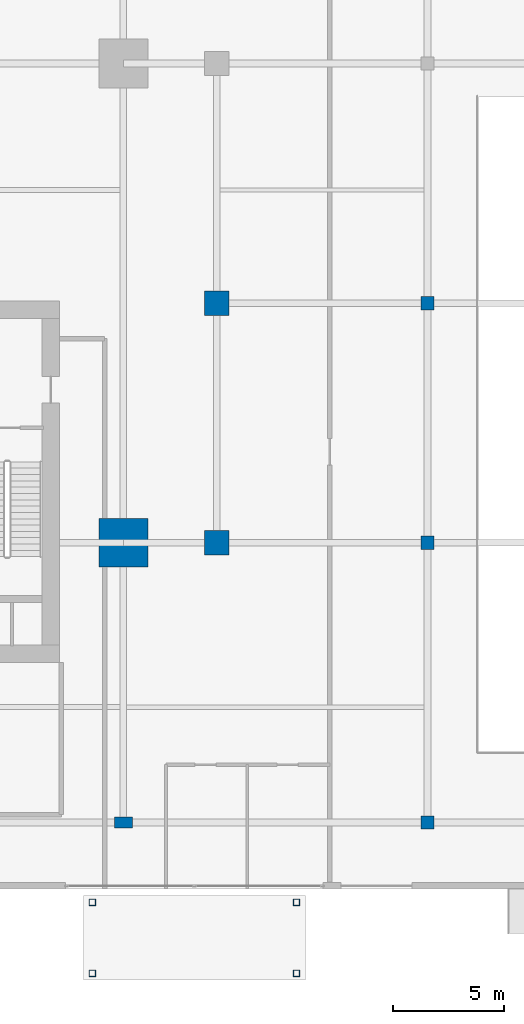
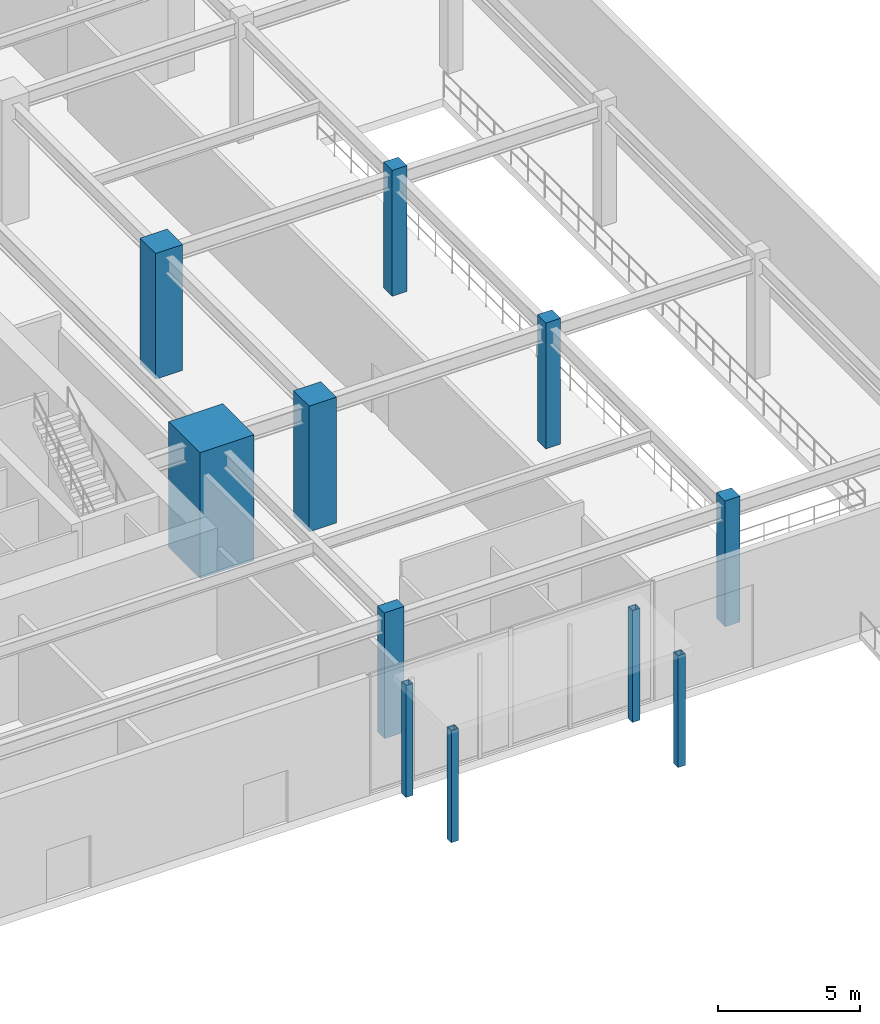
# One storey, part 2 of 28: 11 columns.
"""IFC4 building model written with IfcOpenShell, lengths in metres."""

from ifc_helpers import new_model, si_unit, direction, frame, origin, origin_2d, place, context, subcontext, project, spatial, rectangle, hollow_rectangle, extrude, source, transform, mapped, material, material_profile, profile_set, type_object, type_shapes, element, save


model = new_model("IFC4")

# Units and contexts
model_context = context("Model", 3, precision=1e-05, world=origin(), true_north=direction((0.0, 1.0)))
body_context = subcontext(model_context, "Body", "Model", "MODEL_VIEW")
ifc_project = project(units=[si_unit("LENGTHUNIT", "METRE"), si_unit("AREAUNIT", "SQUARE_METRE"), si_unit("VOLUMEUNIT", "CUBIC_METRE"), si_unit("PLANEANGLEUNIT", "RADIAN"), si_unit("MASSUNIT", "GRAM", prefix="KILO")], contexts=[model_context])

# Site, building, storey
site_placement = place(None, origin())
site = spatial("IfcSite", under=ifc_project, at=site_placement, CompositionType="ELEMENT")
building_placement = place(site_placement, origin())
building = spatial("IfcBuilding", under=site, at=building_placement, Name="Krantzveldt Concourse Tower", CompositionType="ELEMENT")
storey_placement = place(building_placement, origin())
storey = spatial("IfcBuildingStorey", under=building, at=storey_placement, Name="L00", CompositionType="ELEMENT", Elevation=0.0)

# Columns
ifc_material_1 = material(Name="Concrete C60/75", Category="concrete")
ifc_material_profile_1 = material_profile(ifc_material_1, rectangle(XDim=2.199951171875, YDim=2.199951171875, at=origin_2d()), Name="Concrete C60/75", Category="concrete")
ifc_profile_set_1 = profile_set([ifc_material_profile_1], Name="Concrete C60/75 - RC 2200x2200")
column_type_1 = type_object("IfcColumnType", Name="COL-MC-2200", PredefinedType="USERDEFINED", material=ifc_profile_set_1)
shared_shape_1 = source(origin(), body_context, "Body", "SweptSolid", [
    extrude(rectangle(XDim=2.199951171875, YDim=2.199951171875, at=origin_2d()), origin(), (0.0, 0.0, 1.0), 5.39990234375),
])
type_shapes(column_type_1, [shared_shape_1])
column_1_placement = place(storey_placement, frame((46.800048828125, 15.89990234375, 0.0), z_axis=(0.0, 0.0, 1.0), x_axis=(1.0, 0.0, 0.0)))
element("IfcColumn", 1, at=column_1_placement, inside=storey, type_object=column_type_1, Name="MC-SE-L00", ObjectType="MEGA COLUMN", PredefinedType="USERDEFINED", context=body_context, shape_type="MappedRepresentation", body=[
    mapped(shared_shape_1, transform((0.0, 0.0, 0.0), x_axis=(1.0, 0.0, 0.0), y_axis=(0.0, 1.0, 0.0), z_axis=(0.0, 0.0, 1.0), scale=1.0)),
])
ifc_material_profile_2 = material_profile(ifc_material_1, rectangle(XDim=1.10009765625, YDim=1.10009765625, at=origin_2d()), Name="Concrete C60/75", Category="concrete")
ifc_profile_set_2 = profile_set([ifc_material_profile_2], Name="Concrete C60/75 - RC 1100x1100")
column_type_2 = type_object("IfcColumnType", Name="COL-C-Z1", PredefinedType="COLUMN", material=ifc_profile_set_2)
shared_shape_2 = source(origin(), body_context, "Body", "SweptSolid", [
    extrude(rectangle(XDim=1.10009765625, YDim=1.10009765625, at=origin_2d()), origin(), (0.0, 0.0, 1.0), 5.39990234375),
])
type_shapes(column_type_2, [shared_shape_2])
for number, where, z_axis, x_axis, name in (
    (2, (51.0, 26.699951171875, 0.0), (0.0, 0.0, 1.0), (1.0, 0.0, 0.0), "PC-R07-L00"),
    (3, (51.0, 15.89990234375, 0.0), (0.0, 0.0, 1.0), (1.0, 0.0, 0.0), "PC-R08-L00"),
):
    element("IfcColumn", number, at=place(storey_placement, frame(where, z_axis=z_axis, x_axis=x_axis)), inside=storey, type_object=column_type_2, Name=name, PredefinedType="COLUMN", context=body_context, shape_type="MappedRepresentation", body=[
        mapped(shared_shape_2, transform((0.0, 0.0, 0.0), x_axis=(1.0, 0.0, 0.0), y_axis=(0.0, 1.0, 0.0), z_axis=(0.0, 0.0, 1.0), scale=1.0)),
    ])
ifc_material_2 = material(Name="Steel S355J2", Category="steel")
ifc_material_profile_3 = material_profile(ifc_material_2, hollow_rectangle(XDim=0.300048828125, YDim=0.300048828125, WallThickness=0.02001953125, at=origin_2d()), Name="Steel S355J2", Category="steel")
ifc_profile_set_3 = profile_set([ifc_material_profile_3], Name="Steel S355J2 - SHS 300x300x20")
column_type_3 = type_object("IfcColumnType", Name="COL-SC-CRN300", PredefinedType="COLUMN", material=ifc_profile_set_3)
shared_shape_3 = source(origin(), body_context, "Body", "SweptSolid", [
    extrude(hollow_rectangle(XDim=0.300048828125, YDim=0.300048828125, WallThickness=0.02001953125, at=origin_2d()), origin(), (0.0, 0.0, 1.0), 4.800048828125),
])
type_shapes(column_type_3, [shared_shape_3])
for number, where, z_axis, x_axis, name in (
    (4, (45.39990234375, -3.5, 0.0), (0.0, 0.0, 1.0), (1.0, 0.0, 0.0), "CP-S2W"),
    (5, (54.60009765625, -3.5, 0.0), (0.0, 0.0, 1.0), (1.0, 0.0, 0.0), "CP-S2E"),
    (6, (45.39990234375, -0.300048828125, 0.0), (0.0, 0.0, 1.0), (1.0, 0.0, 0.0), "CP-S2WI"),
    (7, (54.60009765625, -0.300048828125, 0.0), (0.0, 0.0, 1.0), (1.0, 0.0, 0.0), "CP-S2EI"),
):
    element("IfcColumn", number, at=place(storey_placement, frame(where, z_axis=z_axis, x_axis=x_axis)), inside=storey, type_object=column_type_3, Name=name, PredefinedType="COLUMN", context=body_context, shape_type="MappedRepresentation", body=[
        mapped(shared_shape_3, transform((0.0, 0.0, 0.0), x_axis=(1.0, 0.0, 0.0), y_axis=(0.0, 1.0, 0.0), z_axis=(0.0, 0.0, 1.0), scale=1.0)),
    ])
ifc_material_3 = material(Name="Concrete C40/50", Category="concrete")
ifc_material_profile_4 = material_profile(ifc_material_3, rectangle(XDim=0.60009765625, YDim=0.60009765625, at=origin_2d()), Name="Concrete C40/50", Category="concrete")
ifc_profile_set_4 = profile_set([ifc_material_profile_4], Name="Concrete C40/50 - RC 600x600")
column_type_4 = type_object("IfcColumnType", Name="COL-C-POD", PredefinedType="COLUMN", material=ifc_profile_set_4)
shared_shape_4 = source(origin(), body_context, "Body", "SweptSolid", [
    extrude(rectangle(XDim=0.60009765625, YDim=0.60009765625, at=origin_2d()), origin(), (0.0, 0.0, 1.0), 5.39990234375),
])
type_shapes(column_type_4, [shared_shape_4])
for number, where, z_axis, x_axis, name in (
    (8, (60.5, 15.89990234375, 0.0), (0.0, 0.0, 1.0), (1.0, 0.0, 0.0), "PC-IE1-L00"),
    (9, (60.5, 26.699951171875, 0.0), (0.0, 0.0, 1.0), (1.0, 0.0, 0.0), "PC-IE2-L00"),
    (10, (60.5, 3.300048828125, 0.0), (0.0, 0.0, 1.0), (1.0, 0.0, 0.0), "PC-IES-L00"),
):
    element("IfcColumn", number, at=place(storey_placement, frame(where, z_axis=z_axis, x_axis=x_axis)), inside=storey, type_object=column_type_4, Name=name, PredefinedType="COLUMN", context=body_context, shape_type="MappedRepresentation", body=[
        mapped(shared_shape_4, transform((0.0, 0.0, 0.0), x_axis=(1.0, 0.0, 0.0), y_axis=(0.0, 1.0, 0.0), z_axis=(0.0, 0.0, 1.0), scale=1.0)),
    ])
ifc_material_4 = material(Name="Concrete C50/60", Category="concrete")
ifc_material_profile_5 = material_profile(ifc_material_4, rectangle(XDim=0.800048828125, YDim=0.5, at=origin_2d()), Name="Concrete C50/60", Category="concrete")
ifc_profile_set_5 = profile_set([ifc_material_profile_5], Name="Concrete C50/60 - RC-PIL 800x500")
column_type_5 = type_object("IfcColumnType", Name="COL-PIL-800", PredefinedType="PILASTER", material=ifc_profile_set_5)
shared_shape_5 = source(origin(), body_context, "Body", "SweptSolid", [
    extrude(rectangle(XDim=0.800048828125, YDim=0.5, at=origin_2d()), origin(), (0.0, 0.0, 1.0), 5.39990234375),
])
type_shapes(column_type_5, [shared_shape_5])
column_2_placement = place(storey_placement, frame((46.800048828125, 3.300048828125, 0.0), z_axis=(0.0, 0.0, 1.0), x_axis=(1.0, 0.0, 0.0)))
element("IfcColumn", 11, at=column_2_placement, inside=storey, type_object=column_type_5, Name="PC-PIL2-L00", PredefinedType="PILASTER", context=body_context, shape_type="MappedRepresentation", body=[
    mapped(shared_shape_5, transform((0.0, 0.0, 0.0), x_axis=(1.0, 0.0, 0.0), y_axis=(0.0, 1.0, 0.0), z_axis=(0.0, 0.0, 1.0), scale=1.0)),
])

save(model, "model.ifc")
